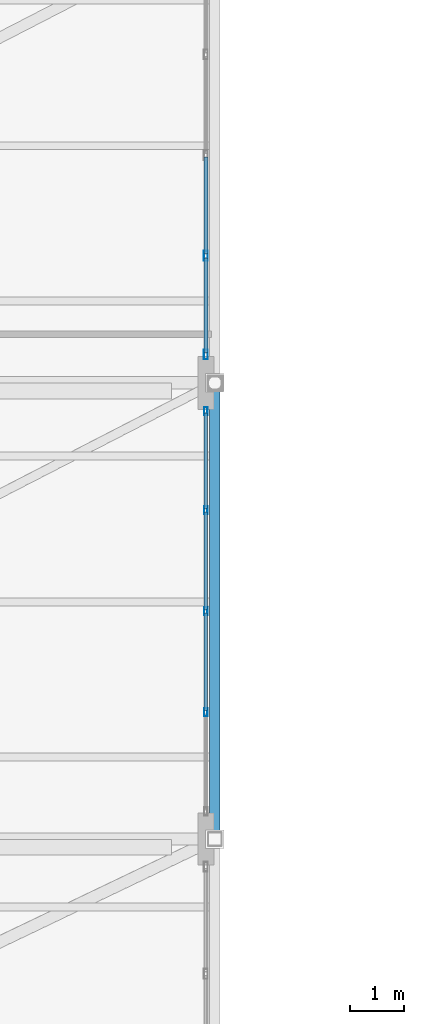
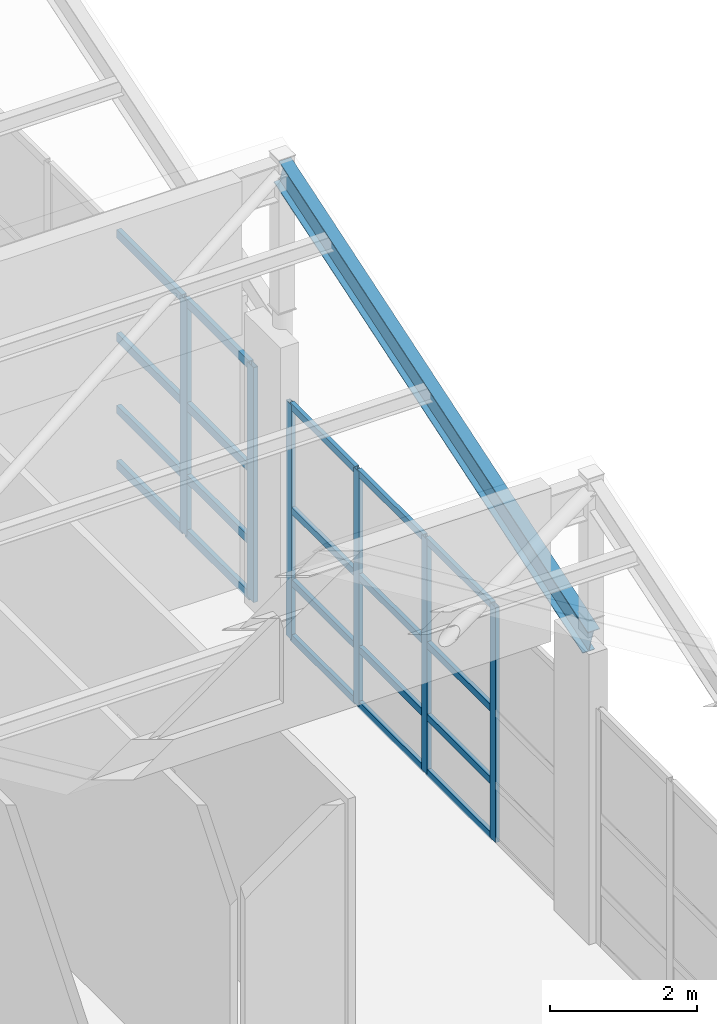
# One storey, part 9 of 34: 26 members, 1 beam, 2 elements without a shape of their own.
"""IFC4 building model written with IfcOpenShell, lengths in metres."""

from ifc_helpers import new_model, si_unit, direction, frame, origin, origin_2d, place, context, subcontext, project, spatial, hollow_rectangle, i_section, extrude, material, layer, layer_set, material_profile, profile_set, type_object, element, aggregate, save


model = new_model("IFC4")

# Units and contexts
model_context = context("Model", 3, precision=1e-05, world=origin(), true_north=direction((0.0, 1.0)))
body_context = subcontext(model_context, "Body", "Model", "MODEL_VIEW")
ifc_project = project(units=[si_unit("LENGTHUNIT", "METRE"), si_unit("AREAUNIT", "SQUARE_METRE"), si_unit("VOLUMEUNIT", "CUBIC_METRE"), si_unit("PLANEANGLEUNIT", "RADIAN"), si_unit("MASSUNIT", "GRAM", prefix="KILO")], contexts=[model_context])

# Site, building, storey
site_placement = place(None, origin())
site = spatial("IfcSite", under=ifc_project, at=site_placement, CompositionType="ELEMENT")
building_placement = place(site_placement, origin())
building = spatial("IfcBuilding", under=site, at=building_placement, Name="Quendrovan Civic Courthouse", CompositionType="ELEMENT")
storey_placement = place(building_placement, frame((0.0, 0.0, 25.5)))
storey = spatial("IfcBuildingStorey", under=building, at=storey_placement, Name="L06", CompositionType="ELEMENT", Elevation=25.5)

# Beam
ifc_material_1 = material(Name="Steel ASTM A992 Grade 50", Category="steel")
ifc_material_profile_1 = material_profile(ifc_material_1, i_section(OverallWidth=0.18994140625, OverallDepth=0.45703125, WebThickness=0.009033203125, FlangeThickness=0.014404296875, at=origin_2d()), Name="W460x74")
ifc_profile_set_1 = profile_set([ifc_material_profile_1], Name="Steel ASTM A992 Grade 50")
beam_type = type_object("IfcBeamType", Name="BM-STL-W460", PredefinedType="BEAM", material=ifc_profile_set_1)
beam_placement = place(storey_placement, frame((16.800048828125, 31.199951171875, 4.651611328125), z_axis=(0.0, 0.951060675412, 0.309004193636), x_axis=(-1.0, 0.0, 0.0)))
element("IfcBeam", 1, at=beam_placement, inside=storey, type_object=beam_type, Name="Sawtooth Raking Steel Rafter B2-E", PredefinedType="BEAM", context=body_context, shape_type="SweptSolid", body=[
    extrude(i_section(OverallWidth=0.18994140625, OverallDepth=0.45703125, WebThickness=0.009033203125, FlangeThickness=0.014404296875, at=origin_2d()), origin(), (0.0, 0.0, 1.0), 8.83251953125),
])

# Curtain wall, members
ifc_material_2 = material(Name="Bronze anodised aluminium and low-E glass", Category="aluminium")
ifc_layer = layer(ifc_material_2, 0.179931640625, Name="Bronze anodised aluminium and low-E glass")
ifc_layer_set = layer_set([ifc_layer], Name="Bronze anodised aluminium and low-E glass")
curtain_wall_type = type_object("IfcCurtainWallType", Name="CW-U74x39", PredefinedType="USERDEFINED", material=ifc_layer_set)
curtain_wall_1_placement = place(storey_placement, origin())
curtain_wall_1 = element("IfcCurtainWall", 2, at=curtain_wall_1_placement, inside=storey, type_object=curtain_wall_type, Name="L06 Unitised Hurricane Curtain Wall CW-212", ObjectType="UNITISED CURTAIN WALL", PredefinedType="USERDEFINED")
ifc_material_3 = material(Name="Bronze anodised aluminium", Category="aluminium")
ifc_material_profile_2 = material_profile(ifc_material_3, hollow_rectangle(XDim=0.070068359375, YDim=0.179931640625, WallThickness=0.00390625, at=origin_2d()), Name="CW-MULL-70x180")
ifc_profile_set_2 = profile_set([ifc_material_profile_2], Name="Bronze anodised aluminium")
member_type_1 = type_object("IfcMemberType", Name="CW-MULL-A", PredefinedType="MULLION", material=ifc_profile_set_2)
member_1_placement = place(storey_placement, frame((16.635009765625, 41.93994140625, 0.0), z_axis=(0.0, 0.0, 1.0), x_axis=(1.0, 0.0, 0.0)))
member_1 = element("IfcMember", 3, at=member_1_placement, type_object=member_type_1, Name="CW-212 mullion 4", PredefinedType="MULLION", context=body_context, shape_type="SweptSolid", body=[
    extrude(hollow_rectangle(XDim=0.070068359375, YDim=0.179931640625, WallThickness=0.00390625, at=origin_2d()), origin(), (0.0, 0.0, 1.0), 3.89990234375),
])
member_2_placement = place(storey_placement, frame((16.635009765625, 40.12158203125, 0.0), z_axis=(0.0, 0.0, 1.0), x_axis=(1.0, 0.0, 0.0)))
member_2 = element("IfcMember", 4, at=member_2_placement, type_object=member_type_1, Name="CW-212 mullion 5", PredefinedType="MULLION", context=body_context, shape_type="SweptSolid", body=[
    extrude(hollow_rectangle(XDim=0.070068359375, YDim=0.179931640625, WallThickness=0.00390625, at=origin_2d()), origin(), (0.0, 0.0, 1.0), 3.89990234375),
])

curtain_wall_2_placement = place(storey_placement, origin())
curtain_wall_2 = element("IfcCurtainWall", 5, at=curtain_wall_2_placement, inside=storey, type_object=curtain_wall_type, Name="L06 Unitised Hurricane Curtain Wall CW-213", ObjectType="UNITISED CURTAIN WALL", PredefinedType="USERDEFINED")
ifc_material_profile_3 = material_profile(ifc_material_3, hollow_rectangle(XDim=0.06494140625, YDim=0.14990234375, WallThickness=0.00390625, at=origin_2d()), Name="CW-MULL-65x150")
ifc_profile_set_3 = profile_set([ifc_material_profile_3], Name="Bronze anodised aluminium")
member_type_2 = type_object("IfcMemberType", Name="CW-MULL-B", PredefinedType="MULLION", material=ifc_profile_set_3)
member_3_placement = place(storey_placement, frame((16.635009765625, 39.0810546875, 0.0), z_axis=(0.0, 0.0, 1.0), x_axis=(1.0, 0.0, 0.0)))
member_3 = element("IfcMember", 6, at=member_3_placement, type_object=member_type_2, Name="CW-213 mullion 1", PredefinedType="MULLION", context=body_context, shape_type="SweptSolid", body=[
    extrude(hollow_rectangle(XDim=0.06494140625, YDim=0.14990234375, WallThickness=0.00390625, at=origin_2d()), origin(), (0.0, 0.0, 1.0), 3.89990234375),
])
member_4_placement = place(storey_placement, frame((16.635009765625, 37.25390625, 0.0), z_axis=(0.0, 0.0, 1.0), x_axis=(1.0, 0.0, 0.0)))
member_4 = element("IfcMember", 7, at=member_4_placement, type_object=member_type_2, Name="CW-213 mullion 2", PredefinedType="MULLION", context=body_context, shape_type="SweptSolid", body=[
    extrude(hollow_rectangle(XDim=0.06494140625, YDim=0.14990234375, WallThickness=0.00390625, at=origin_2d()), origin(), (0.0, 0.0, 1.0), 3.89990234375),
])
member_5_placement = place(storey_placement, frame((16.635009765625, 35.394287109375, 0.0), z_axis=(0.0, 0.0, 1.0), x_axis=(1.0, 0.0, 0.0)))
member_5 = element("IfcMember", 8, at=member_5_placement, type_object=member_type_2, Name="CW-213 mullion 3", PredefinedType="MULLION", context=body_context, shape_type="SweptSolid", body=[
    extrude(hollow_rectangle(XDim=0.06494140625, YDim=0.14990234375, WallThickness=0.00390625, at=origin_2d()), origin(), (0.0, 0.0, 1.0), 3.89990234375),
])
member_6_placement = place(storey_placement, frame((16.635009765625, 33.53466796875, 0.0), z_axis=(0.0, 0.0, 1.0), x_axis=(1.0, 0.0, 0.0)))
member_6 = element("IfcMember", 9, at=member_6_placement, type_object=member_type_2, Name="CW-213 mullion 4", PredefinedType="MULLION", context=body_context, shape_type="SweptSolid", body=[
    extrude(hollow_rectangle(XDim=0.06494140625, YDim=0.14990234375, WallThickness=0.00390625, at=origin_2d()), origin(), (0.0, 0.0, 1.0), 3.89990234375),
])

# Member
ifc_material_profile_4 = material_profile(ifc_material_3, hollow_rectangle(XDim=0.070068359375, YDim=0.139892578125, WallThickness=0.00390625, at=origin_2d()), Name="CW-TRAN-70x140")
ifc_profile_set_4 = profile_set([ifc_material_profile_4], Name="Bronze anodised aluminium")
member_type_3 = type_object("IfcMemberType", Name="CW-TRAN-A", PredefinedType="USERDEFINED", material=ifc_profile_set_4)
member_7_placement = place(storey_placement, frame((16.635009765625, 43.75830078125, 0.034912109375), z_axis=(0.0, -1.0, 0.0), x_axis=(1.0, 0.0, 0.0)))
member_7 = element("IfcMember", 10, at=member_7_placement, type_object=member_type_3, Name="CW-212 transom 3.1", ObjectType="TRANSOM", PredefinedType="USERDEFINED", context=body_context, shape_type="SweptSolid", body=[
    extrude(hollow_rectangle(XDim=0.070068359375, YDim=0.139892578125, WallThickness=0.00390625, at=origin_2d()), origin(), (0.0, 0.0, 1.0), 1.783447265625),
])

member_8_placement = place(storey_placement, frame((16.635009765625, 43.75830078125, 0.949951171875), z_axis=(0.0, -1.0, 0.0), x_axis=(1.0, 0.0, 0.0)))
member_8 = element("IfcMember", 11, at=member_8_placement, type_object=member_type_3, Name="CW-212 transom 3.2", ObjectType="TRANSOM", PredefinedType="USERDEFINED", context=body_context, shape_type="SweptSolid", body=[
    extrude(hollow_rectangle(XDim=0.070068359375, YDim=0.139892578125, WallThickness=0.00390625, at=origin_2d()), origin(), (0.0, 0.0, 1.0), 1.783447265625),
])

member_9_placement = place(storey_placement, frame((16.635009765625, 43.75830078125, 2.14990234375), z_axis=(0.0, -1.0, 0.0), x_axis=(1.0, 0.0, 0.0)))
member_9 = element("IfcMember", 12, at=member_9_placement, type_object=member_type_3, Name="CW-212 transom 3.3", ObjectType="TRANSOM", PredefinedType="USERDEFINED", context=body_context, shape_type="SweptSolid", body=[
    extrude(hollow_rectangle(XDim=0.070068359375, YDim=0.139892578125, WallThickness=0.00390625, at=origin_2d()), origin(), (0.0, 0.0, 1.0), 1.783447265625),
])

member_10_placement = place(storey_placement, frame((16.635009765625, 43.75830078125, 3.864990234375), z_axis=(0.0, -1.0, 0.0), x_axis=(1.0, 0.0, 0.0)))
member_10 = element("IfcMember", 13, at=member_10_placement, type_object=member_type_3, Name="CW-212 transom 3.4", ObjectType="TRANSOM", PredefinedType="USERDEFINED", context=body_context, shape_type="SweptSolid", body=[
    extrude(hollow_rectangle(XDim=0.070068359375, YDim=0.139892578125, WallThickness=0.00390625, at=origin_2d()), origin(), (0.0, 0.0, 1.0), 1.783447265625),
])

member_11_placement = place(storey_placement, frame((16.635009765625, 41.90478515625, 0.034912109375), z_axis=(0.0, -1.0, 0.0), x_axis=(1.0, 0.0, 0.0)))
member_11 = element("IfcMember", 14, at=member_11_placement, type_object=member_type_3, Name="CW-212 transom 4.1", ObjectType="TRANSOM", PredefinedType="USERDEFINED", context=body_context, shape_type="SweptSolid", body=[
    extrude(hollow_rectangle(XDim=0.070068359375, YDim=0.139892578125, WallThickness=0.00390625, at=origin_2d()), origin(), (0.0, 0.0, 1.0), 1.748291015625),
])

member_12_placement = place(storey_placement, frame((16.635009765625, 41.90478515625, 0.949951171875), z_axis=(0.0, -1.0, 0.0), x_axis=(1.0, 0.0, 0.0)))
member_12 = element("IfcMember", 15, at=member_12_placement, type_object=member_type_3, Name="CW-212 transom 4.2", ObjectType="TRANSOM", PredefinedType="USERDEFINED", context=body_context, shape_type="SweptSolid", body=[
    extrude(hollow_rectangle(XDim=0.070068359375, YDim=0.139892578125, WallThickness=0.00390625, at=origin_2d()), origin(), (0.0, 0.0, 1.0), 1.748291015625),
])

member_13_placement = place(storey_placement, frame((16.635009765625, 41.90478515625, 2.14990234375), z_axis=(0.0, -1.0, 0.0), x_axis=(1.0, 0.0, 0.0)))
member_13 = element("IfcMember", 16, at=member_13_placement, type_object=member_type_3, Name="CW-212 transom 4.3", ObjectType="TRANSOM", PredefinedType="USERDEFINED", context=body_context, shape_type="SweptSolid", body=[
    extrude(hollow_rectangle(XDim=0.070068359375, YDim=0.139892578125, WallThickness=0.00390625, at=origin_2d()), origin(), (0.0, 0.0, 1.0), 1.748291015625),
])

member_14_placement = place(storey_placement, frame((16.635009765625, 41.90478515625, 3.864990234375), z_axis=(0.0, -1.0, 0.0), x_axis=(1.0, 0.0, 0.0)))
member_14 = element("IfcMember", 17, at=member_14_placement, type_object=member_type_3, Name="CW-212 transom 4.4", ObjectType="TRANSOM", PredefinedType="USERDEFINED", context=body_context, shape_type="SweptSolid", body=[
    extrude(hollow_rectangle(XDim=0.070068359375, YDim=0.139892578125, WallThickness=0.00390625, at=origin_2d()), origin(), (0.0, 0.0, 1.0), 1.748291015625),
])

aggregate(curtain_wall_1, [member_1, member_2, member_7, member_8, member_9, member_10, member_11, member_12, member_13, member_14])

ifc_material_profile_5 = material_profile(ifc_material_3, hollow_rectangle(XDim=0.06494140625, YDim=0.114990234375, WallThickness=0.00390625, at=origin_2d()), Name="CW-TRAN-65x115")
ifc_profile_set_5 = profile_set([ifc_material_profile_5], Name="Bronze anodised aluminium")
member_type_4 = type_object("IfcMemberType", Name="CW-TRAN-B", PredefinedType="USERDEFINED", material=ifc_profile_set_5)
member_15_placement = place(storey_placement, frame((16.635009765625, 39.048583984375, 0.032470703125), z_axis=(0.0, -1.0, 0.0), x_axis=(1.0, 0.0, 0.0)))
member_15 = element("IfcMember", 18, at=member_15_placement, type_object=member_type_4, Name="CW-213 transom 1.1", ObjectType="TRANSOM", PredefinedType="USERDEFINED", context=body_context, shape_type="SweptSolid", body=[
    extrude(hollow_rectangle(XDim=0.06494140625, YDim=0.114990234375, WallThickness=0.00390625, at=origin_2d()), origin(), (0.0, 0.0, 1.0), 1.76220703125),
])

member_16_placement = place(storey_placement, frame((16.635009765625, 39.048583984375, 0.949951171875), z_axis=(0.0, -1.0, 0.0), x_axis=(1.0, 0.0, 0.0)))
member_16 = element("IfcMember", 19, at=member_16_placement, type_object=member_type_4, Name="CW-213 transom 1.2", ObjectType="TRANSOM", PredefinedType="USERDEFINED", context=body_context, shape_type="SweptSolid", body=[
    extrude(hollow_rectangle(XDim=0.06494140625, YDim=0.114990234375, WallThickness=0.00390625, at=origin_2d()), origin(), (0.0, 0.0, 1.0), 1.76220703125),
])

member_17_placement = place(storey_placement, frame((16.635009765625, 39.048583984375, 2.14990234375), z_axis=(0.0, -1.0, 0.0), x_axis=(1.0, 0.0, 0.0)))
member_17 = element("IfcMember", 20, at=member_17_placement, type_object=member_type_4, Name="CW-213 transom 1.3", ObjectType="TRANSOM", PredefinedType="USERDEFINED", context=body_context, shape_type="SweptSolid", body=[
    extrude(hollow_rectangle(XDim=0.06494140625, YDim=0.114990234375, WallThickness=0.00390625, at=origin_2d()), origin(), (0.0, 0.0, 1.0), 1.76220703125),
])

member_18_placement = place(storey_placement, frame((16.635009765625, 39.048583984375, 3.867431640625), z_axis=(0.0, -1.0, 0.0), x_axis=(1.0, 0.0, 0.0)))
member_18 = element("IfcMember", 21, at=member_18_placement, type_object=member_type_4, Name="CW-213 transom 1.4", ObjectType="TRANSOM", PredefinedType="USERDEFINED", context=body_context, shape_type="SweptSolid", body=[
    extrude(hollow_rectangle(XDim=0.06494140625, YDim=0.114990234375, WallThickness=0.00390625, at=origin_2d()), origin(), (0.0, 0.0, 1.0), 1.76220703125),
])

member_19_placement = place(storey_placement, frame((16.635009765625, 37.221435546875, 0.032470703125), z_axis=(0.0, -1.0, 0.0), x_axis=(1.0, 0.0, 0.0)))
member_19 = element("IfcMember", 22, at=member_19_placement, type_object=member_type_4, Name="CW-213 transom 2.1", ObjectType="TRANSOM", PredefinedType="USERDEFINED", context=body_context, shape_type="SweptSolid", body=[
    extrude(hollow_rectangle(XDim=0.06494140625, YDim=0.114990234375, WallThickness=0.00390625, at=origin_2d()), origin(), (0.0, 0.0, 1.0), 1.794677734375),
])

member_20_placement = place(storey_placement, frame((16.635009765625, 37.221435546875, 0.949951171875), z_axis=(0.0, -1.0, 0.0), x_axis=(1.0, 0.0, 0.0)))
member_20 = element("IfcMember", 23, at=member_20_placement, type_object=member_type_4, Name="CW-213 transom 2.2", ObjectType="TRANSOM", PredefinedType="USERDEFINED", context=body_context, shape_type="SweptSolid", body=[
    extrude(hollow_rectangle(XDim=0.06494140625, YDim=0.114990234375, WallThickness=0.00390625, at=origin_2d()), origin(), (0.0, 0.0, 1.0), 1.794677734375),
])

member_21_placement = place(storey_placement, frame((16.635009765625, 37.221435546875, 2.14990234375), z_axis=(0.0, -1.0, 0.0), x_axis=(1.0, 0.0, 0.0)))
member_21 = element("IfcMember", 24, at=member_21_placement, type_object=member_type_4, Name="CW-213 transom 2.3", ObjectType="TRANSOM", PredefinedType="USERDEFINED", context=body_context, shape_type="SweptSolid", body=[
    extrude(hollow_rectangle(XDim=0.06494140625, YDim=0.114990234375, WallThickness=0.00390625, at=origin_2d()), origin(), (0.0, 0.0, 1.0), 1.794677734375),
])

member_22_placement = place(storey_placement, frame((16.635009765625, 37.221435546875, 3.867431640625), z_axis=(0.0, -1.0, 0.0), x_axis=(1.0, 0.0, 0.0)))
member_22 = element("IfcMember", 25, at=member_22_placement, type_object=member_type_4, Name="CW-213 transom 2.4", ObjectType="TRANSOM", PredefinedType="USERDEFINED", context=body_context, shape_type="SweptSolid", body=[
    extrude(hollow_rectangle(XDim=0.06494140625, YDim=0.114990234375, WallThickness=0.00390625, at=origin_2d()), origin(), (0.0, 0.0, 1.0), 1.794677734375),
])

member_23_placement = place(storey_placement, frame((16.635009765625, 35.36181640625, 0.032470703125), z_axis=(0.0, -1.0, 0.0), x_axis=(1.0, 0.0, 0.0)))
member_23 = element("IfcMember", 26, at=member_23_placement, type_object=member_type_4, Name="CW-213 transom 3.1", ObjectType="TRANSOM", PredefinedType="USERDEFINED", context=body_context, shape_type="SweptSolid", body=[
    extrude(hollow_rectangle(XDim=0.06494140625, YDim=0.114990234375, WallThickness=0.00390625, at=origin_2d()), origin(), (0.0, 0.0, 1.0), 1.794677734375),
])

member_24_placement = place(storey_placement, frame((16.635009765625, 35.36181640625, 0.949951171875), z_axis=(0.0, -1.0, 0.0), x_axis=(1.0, 0.0, 0.0)))
member_24 = element("IfcMember", 27, at=member_24_placement, type_object=member_type_4, Name="CW-213 transom 3.2", ObjectType="TRANSOM", PredefinedType="USERDEFINED", context=body_context, shape_type="SweptSolid", body=[
    extrude(hollow_rectangle(XDim=0.06494140625, YDim=0.114990234375, WallThickness=0.00390625, at=origin_2d()), origin(), (0.0, 0.0, 1.0), 1.794677734375),
])

member_25_placement = place(storey_placement, frame((16.635009765625, 35.36181640625, 2.14990234375), z_axis=(0.0, -1.0, 0.0), x_axis=(1.0, 0.0, 0.0)))
member_25 = element("IfcMember", 28, at=member_25_placement, type_object=member_type_4, Name="CW-213 transom 3.3", ObjectType="TRANSOM", PredefinedType="USERDEFINED", context=body_context, shape_type="SweptSolid", body=[
    extrude(hollow_rectangle(XDim=0.06494140625, YDim=0.114990234375, WallThickness=0.00390625, at=origin_2d()), origin(), (0.0, 0.0, 1.0), 1.794677734375),
])

member_26_placement = place(storey_placement, frame((16.635009765625, 35.36181640625, 3.867431640625), z_axis=(0.0, -1.0, 0.0), x_axis=(1.0, 0.0, 0.0)))
member_26 = element("IfcMember", 29, at=member_26_placement, type_object=member_type_4, Name="CW-213 transom 3.4", ObjectType="TRANSOM", PredefinedType="USERDEFINED", context=body_context, shape_type="SweptSolid", body=[
    extrude(hollow_rectangle(XDim=0.06494140625, YDim=0.114990234375, WallThickness=0.00390625, at=origin_2d()), origin(), (0.0, 0.0, 1.0), 1.794677734375),
])

aggregate(curtain_wall_2, [member_3, member_4, member_5, member_6, member_15, member_16, member_17, member_18, member_19, member_20, member_21, member_22, member_23, member_24, member_25, member_26])

save(model, "model.ifc")
